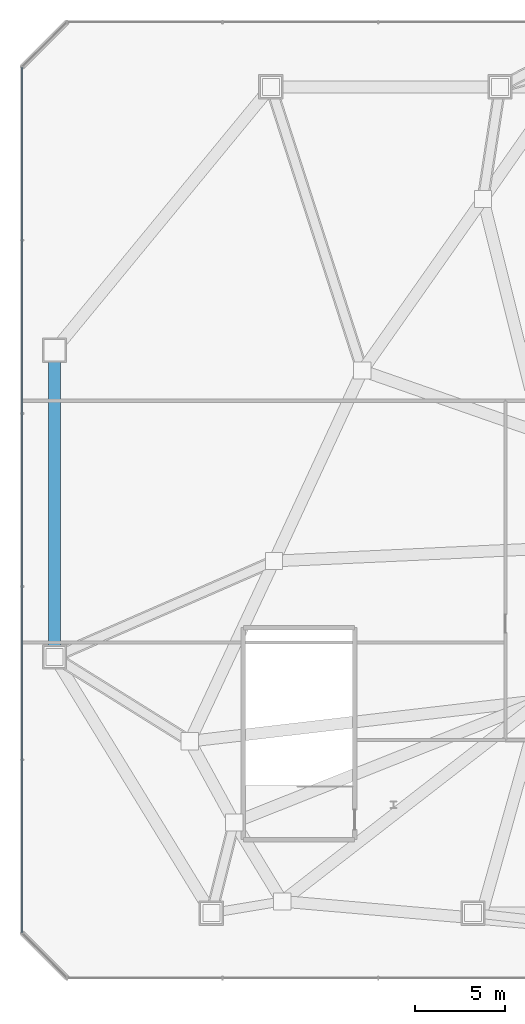
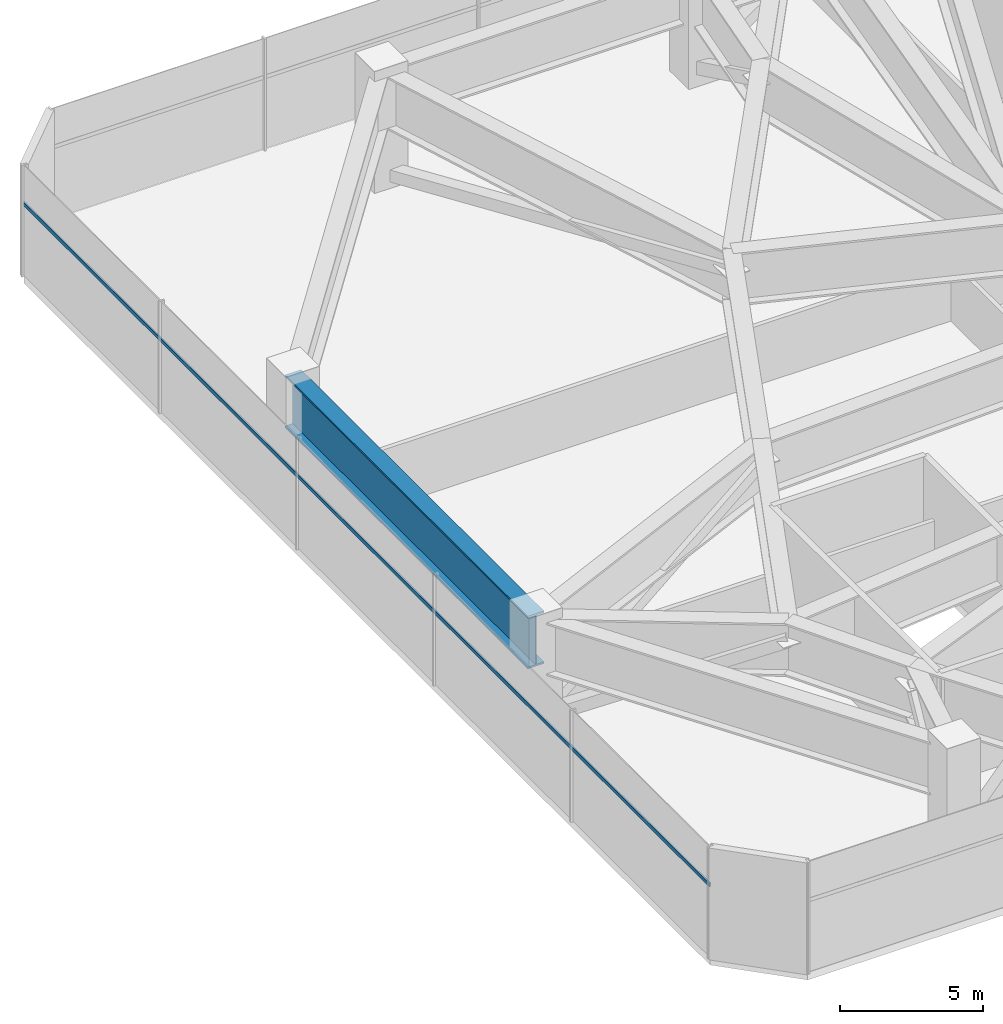
# One storey, part 6 of 29: 1 beam, 1 member, 1 element without a shape of its own.
"""IFC4 building model written with IfcOpenShell, lengths in metres."""

from ifc_helpers import new_model, si_unit, direction, frame, origin, origin_2d, place, context, subcontext, project, spatial, rectangle, i_section, extrude, source, transform, mapped, material, layer, layer_set, material_profile, profile_set, type_object, type_shapes, element, aggregate, save


model = new_model("IFC4")

# Units and contexts
model_context = context("Model", 3, precision=1e-05, world=origin(), true_north=direction((0.0, 1.0)))
body_context = subcontext(model_context, "Body", "Model", "MODEL_VIEW")
ifc_project = project(units=[si_unit("LENGTHUNIT", "METRE"), si_unit("AREAUNIT", "SQUARE_METRE"), si_unit("VOLUMEUNIT", "CUBIC_METRE"), si_unit("PLANEANGLEUNIT", "RADIAN"), si_unit("MASSUNIT", "GRAM", prefix="KILO")], contexts=[model_context])

# Site, building, storey
site_placement = place(None, origin())
site = spatial("IfcSite", under=ifc_project, at=site_placement, CompositionType="ELEMENT")
building_placement = place(site_placement, origin())
building = spatial("IfcBuilding", under=site, at=building_placement, Name="Varakhsha Concourse Tower", CompositionType="ELEMENT")
storey_placement = place(building_placement, frame((0.0, 0.0, 22.0)))
storey = spatial("IfcBuildingStorey", under=building, at=storey_placement, Name="L05", CompositionType="ELEMENT", Elevation=22.0)

# Beam
ifc_material_1 = material(Name="Structural Steel ASTM A992 Grade 50", Category="steel")
ifc_material_profile_1 = material_profile(ifc_material_1, i_section(OverallWidth=0.64990234375, OverallDepth=2.25, WebThickness=0.0400390625, FlangeThickness=0.074951171875, at=origin_2d()), Name="PG 2250x650x75x40")
ifc_profile_set_1 = profile_set([ifc_material_profile_1], Name="Structural Steel ASTM A992 Grade 50")
beam_type = type_object("IfcBeamType", Name="BM-XFER-PG1650", PredefinedType="USERDEFINED", material=ifc_profile_set_1)
beam_placement = place(storey_placement, frame((4.800048828125, 35.800048828125, 3.655029296875), z_axis=(0.0, -1.0, 0.0), x_axis=(1.0, 0.0, 0.0)))
element("IfcBeam", 1, at=beam_placement, inside=storey, type_object=beam_type, Name="L05 Stilt Perimeter Transfer Girder 11", ObjectType="GIRDER", PredefinedType="USERDEFINED", context=body_context, shape_type="SweptSolid", body=[
    extrude(i_section(OverallWidth=0.64990234375, OverallDepth=2.25, WebThickness=0.0400390625, FlangeThickness=0.074951171875, at=origin_2d()), origin(), (0.0, 0.0, 1.0), 17.0),
])

# Curtain wall, member
ifc_material_2 = material(Name="Anodised Bronze Architectural Aluminium AA 6063-T6", Category="aluminium")
ifc_layer = layer(ifc_material_2, 0.260009765625, Name="CW-SYS-06")
ifc_layer_set = layer_set([ifc_layer], Name="Anodised Bronze Architectural Aluminium AA 6063-T6")
curtain_wall_type = type_object("IfcCurtainWallType", Name="CW-SYS-06", PredefinedType="NOTDEFINED", material=ifc_layer_set)
curtain_wall_placement = place(storey_placement, origin())
curtain_wall = element("IfcCurtainWall", 2, at=curtain_wall_placement, inside=storey, type_object=curtain_wall_type, Name="L05 Podium Curtain Wall 07", PredefinedType="NOTDEFINED")
ifc_material_profile_2 = material_profile(ifc_material_2, rectangle(XDim=0.06494140625, YDim=0.159912109375, at=origin_2d()), Name="CWT-160X65")
ifc_profile_set_2 = profile_set([ifc_material_profile_2], Name="Anodised Bronze Architectural Aluminium AA 6063-T6")
member_type = type_object("IfcMemberType", Name="CWT-160X65", PredefinedType="USERDEFINED", material=ifc_profile_set_2)
shared_shape = source(origin(), body_context, "Body", "SweptSolid", [
    extrude(rectangle(XDim=0.06494140625, YDim=0.159912109375, at=origin_2d()), origin(), (0.0, 0.0, 1.0), 48.0),
])
type_shapes(member_type, [shared_shape])
member_placement = place(storey_placement, frame((3.0, 51.5, 3.10009765625), z_axis=(0.0, -1.0, 0.0), x_axis=(1.0, 0.0, 0.0)))
member = element("IfcMember", 3, at=member_placement, type_object=member_type, Name="CW-POD-L05-07 Transom 01", ObjectType="TRANSOM", PredefinedType="USERDEFINED", context=body_context, shape_type="MappedRepresentation", body=[
    mapped(shared_shape, transform((0.0, 0.0, 0.0), scale=1.0)),
])
aggregate(curtain_wall, [member])

save(model, "model.ifc")
